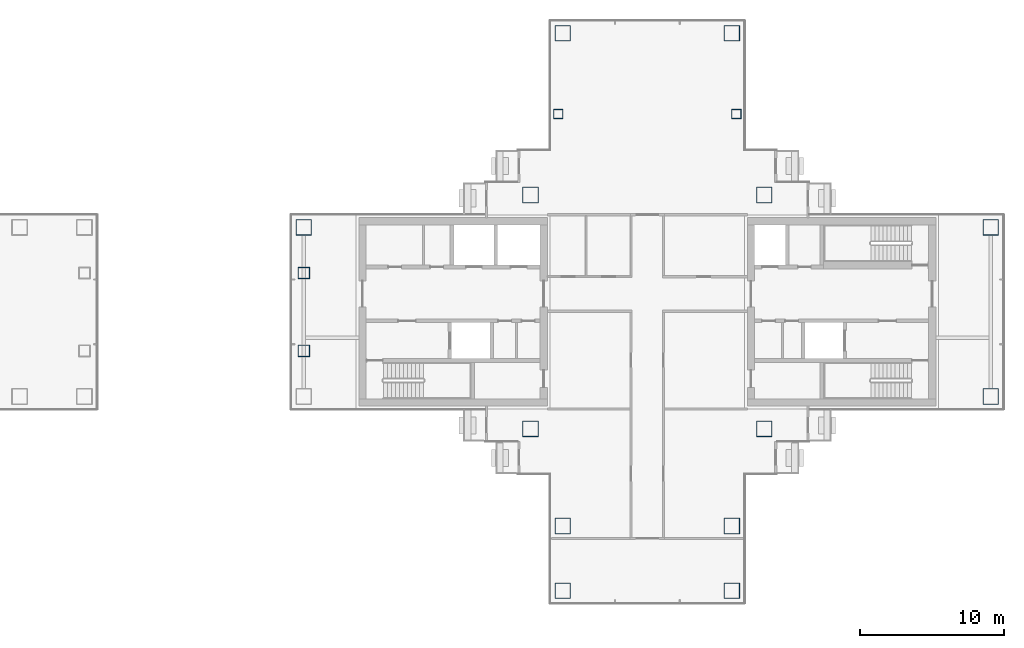
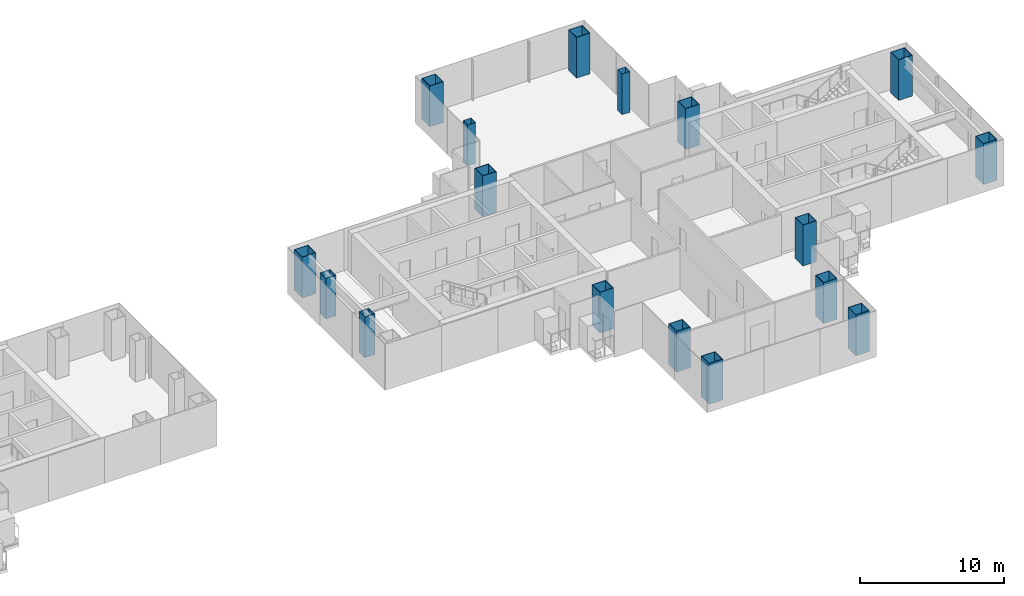
# One storey, part 2 of 17: 17 columns.
"""IFC4 building model written with IfcOpenShell, lengths in metres."""

import ifcopenshell
import ifcopenshell.guid

model = None  # the IFC model being written
_history = None  # IfcOwnerHistory: only IFC2X3 demands one
_inside = {}  # id of a spatial element -> (the spatial element, [elements in it])
_under = {}  # id of a project, library or spatial element -> (it, [spatial elements below it])
_declared = {}  # id of a project -> (the project, [libraries it declares])
_typed = {}  # id of a type object -> (the type object, [elements of that type])
_made_of = {}  # id of a material, layer set ... -> (it, [elements and type objects made of it])


def new_model(schema):
    """Start an empty IFC model of exactly this schema.

    Asked for "IFC4X3", IfcOpenShell would pick the latest addendum, in which some entities
    have other attributes; the version numbers below select the first issue.
    IFC2X3 requires an IfcOwnerHistory on every rooted entity: one is made here for all.
    """
    global model, _history
    if schema == "IFC4X3":
        model = ifcopenshell.file(schema_version=(4, 3, 0, 0))
    else:
        model = ifcopenshell.file(schema=schema)
    _inside.clear()
    _under.clear()
    _declared.clear()
    _typed.clear()
    _made_of.clear()
    _history = None
    if model.schema == "IFC2X3":
        org = make("IfcOrganization", Name="unknown")
        user = make(
            "IfcPersonAndOrganization",
            ThePerson=make("IfcPerson", FamilyName="unknown"),
            TheOrganization=org,
        )
        app = make(
            "IfcApplication",
            ApplicationDeveloper=org,
            Version="unknown",
            ApplicationFullName="unknown",
            ApplicationIdentifier="unknown",
        )
        _history = make(
            "IfcOwnerHistory",
            OwningUser=user,
            OwningApplication=app,
            ChangeAction="ADDED",
            CreationDate=0,
        )
    return model


def make(cls, **values):
    """One entity of the class cls with the attributes given. An attribute that is None is left unset."""
    return model.create_entity(
        cls, **{name: value for name, value in values.items() if value is not None}
    )


def rooted(cls, **values):
    """An entity with a GlobalId (a new one), such as an element, a storey or a relation."""
    return make(cls, GlobalId=ifcopenshell.guid.new(), OwnerHistory=_history, **values)


def si_unit(unit_type, name, prefix=None):
    """IfcSIUnit, for example si_unit("LENGTHUNIT", "METRE", prefix="MILLI")."""
    return make("IfcSIUnit", UnitType=unit_type, Prefix=prefix, Name=name)


def assignment(units):
    """IfcUnitAssignment: the units of a project."""
    return None if units is None else make("IfcUnitAssignment", Units=units)


def point(xyz):
    """IfcCartesianPoint."""
    return None if xyz is None else make("IfcCartesianPoint", Coordinates=xyz)


def direction(xyz):
    """IfcDirection."""
    return None if xyz is None else make("IfcDirection", DirectionRatios=xyz)


def frame(location, z_axis=None, x_axis=None):
    """IfcAxis2Placement3D, a coordinate frame: its origin and axes. An axis left out is left unset."""
    return make(
        "IfcAxis2Placement3D",
        Location=point(location),
        Axis=direction(z_axis),
        RefDirection=direction(x_axis),
    )


def frame_2d(location, x_axis=None):
    """IfcAxis2Placement2D, a coordinate frame in the plane: its origin and x axis."""
    return make(
        "IfcAxis2Placement2D", Location=point(location), RefDirection=direction(x_axis)
    )


def origin():
    """The frame at (0, 0, 0) with its axes left unset."""
    return frame((0.0, 0.0, 0.0))


def origin_2d():
    """The frame at (0, 0) in the plane with its x axis left unset."""
    return frame_2d((0.0, 0.0))


def place(relative_to, where):
    """IfcLocalPlacement: puts the frame where relative to a parent placement (None: the world)."""
    return make(
        "IfcLocalPlacement", PlacementRelTo=relative_to, RelativePlacement=where
    )


def context(
    kind, dimensions, precision=None, world=None, true_north=None, identifier=None
):
    """IfcGeometricRepresentationContext, for example the 3D "Model" context."""
    return make(
        "IfcGeometricRepresentationContext",
        ContextIdentifier=identifier,
        ContextType=kind,
        CoordinateSpaceDimension=dimensions,
        Precision=precision,
        WorldCoordinateSystem=world,
        TrueNorth=true_north,
    )


def subcontext(parent, identifier, kind, view, scale=None):
    """IfcGeometricRepresentationSubContext, for example "Body" below "Model"."""
    return make(
        "IfcGeometricRepresentationSubContext",
        ContextIdentifier=identifier,
        ContextType=kind,
        ParentContext=parent,
        TargetScale=scale,
        TargetView=view,
    )


def project(units=None, contexts=None):
    """IfcProject with its units and contexts."""
    return rooted(
        "IfcProject",
        Name="project",
        RepresentationContexts=contexts,
        UnitsInContext=assignment(units),
    )


def spatial(cls, under=None, at=None, **own):
    """A site, building, storey or space (cls), placed at a placement, below another one or the project."""
    s = rooted(cls, ObjectPlacement=at, **own)
    if under is not None:
        _under.setdefault(under.id(), (under, []))[1].append(s)
    return s


def profile(cls, at=None, kind="AREA", **sizes):
    """A parametric profile (cls). Its sizes go by their IFC names, for example OverallWidth=200.0."""
    return make(cls, ProfileType=kind, Position=at, **sizes)


def hollow_rectangle(**sizes):
    """IfcRectangleHollowProfileDef."""
    return profile("IfcRectangleHollowProfileDef", **sizes)


def extrude(swept, where, along, depth):
    """IfcExtrudedAreaSolid: the profile swept, set in the frame where, extruded along a direction by depth."""
    return make(
        "IfcExtrudedAreaSolid",
        SweptArea=swept,
        Position=where,
        ExtrudedDirection=direction(along),
        Depth=depth,
    )


def shape(context_of_items, identifier, shape_type, items):
    """IfcShapeRepresentation: the items that make up one representation, for example the "Body"."""
    return make(
        "IfcShapeRepresentation",
        ContextOfItems=context_of_items,
        RepresentationIdentifier=identifier,
        RepresentationType=shape_type,
        Items=items,
    )


def material(Name=None, Category=None):
    """IfcMaterial."""
    return make("IfcMaterial", Name=Name, Category=Category)


def material_profile(
    of_material, cross_section, Name=None, Category=None, Priority=None
):
    """IfcMaterialProfile: a cross section and its material."""
    return make(
        "IfcMaterialProfile",
        Name=Name,
        Material=of_material,
        Profile=cross_section,
        Priority=Priority,
        Category=Category,
    )


def profile_set(profiles, Name=None, composite=None):
    """IfcMaterialProfileSet."""
    return make(
        "IfcMaterialProfileSet",
        Name=Name,
        MaterialProfiles=profiles,
        CompositeProfile=composite,
    )


def made_of(thing, what):
    """Note that an element or type object is made of a material, layer set ...; save() writes the relation."""
    if what is not None:
        _made_of.setdefault(what.id(), (what, []))[1].append(thing)
    return thing


def type_object(cls, material=None, **own):
    """A type object (cls), such as IfcWallType, which elements share."""
    return made_of(rooted(cls, **own), material)


def element(
    cls,
    number,
    at=None,
    inside=None,
    cuts=None,
    type_object=None,
    material=None,
    context=None,
    identifier="Body",
    shape_type=None,
    held_by="IfcProductDefinitionShape",
    body=None,
    shapes=None,
    **own,
):
    """One element of the class cls, such as IfcWall. Its Tag is "e" and its number.

    at: its placement. inside: the storey or other place that contains it. cuts: it is an
    opening in that element (IfcRelVoidsElement). A single representation is given by context,
    identifier, shape_type and body (its items); several are given by shapes. held_by: the class
    of the entity that holds the representations. save() writes the other relations.
    """
    e = rooted(cls, Tag="e%d" % number, ObjectPlacement=at, **own)
    if body is not None:
        shapes = [shape(context, identifier, shape_type, body)]
    if shapes is not None:
        e.Representation = make(held_by, Representations=shapes)
    if inside is not None:
        _inside.setdefault(inside.id(), (inside, []))[1].append(e)
    if cuts is not None:
        rooted(
            "IfcRelVoidsElement", RelatingBuildingElement=cuts, RelatedOpeningElement=e
        )
    if type_object is not None:
        _typed.setdefault(type_object.id(), (type_object, []))[1].append(e)
    return made_of(e, material)


def aggregate(whole, parts):
    """IfcRelAggregates: a whole, such as a stair, and the parts it consists of."""
    return rooted("IfcRelAggregates", RelatingObject=whole, RelatedObjects=parts)


def save(model, path):
    """Write the relations noted so far, then the file.

    IfcRelAggregates (storeys below a building ...), IfcRelContainedInSpatialStructure (elements
    in a storey), IfcRelDefinesByType, IfcRelAssociatesMaterial and IfcRelDeclares: one each for
    every whole, place, type object, material and project.
    """
    for whole, parts in _under.values():
        aggregate(whole, parts)
    for where, things in _inside.values():
        rooted(
            "IfcRelContainedInSpatialStructure",
            RelatedElements=things,
            RelatingStructure=where,
        )
    for kind, things in _typed.values():
        rooted("IfcRelDefinesByType", RelatedObjects=things, RelatingType=kind)
    for what, things in _made_of.values():
        rooted("IfcRelAssociatesMaterial", RelatedObjects=things, RelatingMaterial=what)
    for by, libraries in _declared.values():
        rooted("IfcRelDeclares", RelatingContext=by, RelatedDefinitions=libraries)
    model.write(path)


model = new_model("IFC4")

# Units and contexts
model_context = context("Model", 3, precision=1e-05, world=origin(), true_north=direction((0.0, 1.0)))
body_context = subcontext(model_context, "Body", "Model", "MODEL_VIEW")
ifc_project = project(units=[si_unit("LENGTHUNIT", "METRE"), si_unit("AREAUNIT", "SQUARE_METRE"), si_unit("VOLUMEUNIT", "CUBIC_METRE"), si_unit("PLANEANGLEUNIT", "RADIAN"), si_unit("MASSUNIT", "GRAM", prefix="KILO")], contexts=[model_context])

# Site, building, storey
site_placement = place(None, origin())
site = spatial("IfcSite", under=ifc_project, at=site_placement, CompositionType="ELEMENT")
building_placement = place(site_placement, origin())
building = spatial("IfcBuilding", under=site, at=building_placement, Name="Shamsa Quay Exchange Towers", CompositionType="ELEMENT")
storey_placement = place(building_placement, frame((0.0, 0.0, 174.0)))
storey = spatial("IfcBuildingStorey", under=building, at=storey_placement, Name="L41", CompositionType="ELEMENT", Elevation=174.0)

# Columns
ifc_material_1 = material(Name="Concrete-filled steel tube S355 / C80/95", Category="concrete")
ifc_material_profile_1 = material_profile(ifc_material_1, hollow_rectangle(XDim=1.10009765625, YDim=1.10009765625, WallThickness=0.0400390625, at=origin_2d()), Name="CFT 1100x1100x40")
ifc_profile_set_1 = profile_set([ifc_material_profile_1], Name="Concrete-filled steel tube S355 / C80/95")
column_type_1 = type_object("IfcColumnType", Name="Column CFT 1100x1100x40", PredefinedType="COLUMN", material=ifc_profile_set_1)
for number, where, name in (
    (1, (25.625, 8.125, 0.0), "Mega column T2-CM01"),
    (2, (41.875, 8.125, 0.0), "Mega column T2-CM02"),
    (3, (25.625, -8.125, 0.0), "Mega column T2-CM03"),
    (4, (41.875, -8.125, 0.0), "Mega column T2-CM04"),
    (5, (39.625, 19.375, 0.0), "Mega column T2-CM06"),
    (6, (27.875, 19.375, 0.0), "Mega column T2-CM10"),
    (7, (39.625, -14.875, 0.0), "Mega column T2-CM13"),
    (8, (39.625, -19.375, 0.0), "Mega column T2-CM14"),
    (9, (27.875, -14.875, 0.0), "Mega column T2-CM16"),
    (10, (27.875, -19.375, 0.0), "Mega column T2-CM17"),
    (11, (9.875, 5.875, 0.0), "Mega column T2-CM20"),
    (12, (57.625, -5.875, 0.0), "Mega column T2-CM21"),
    (13, (57.625, 5.875, 0.0), "Mega column T2-CM23"),
):
    element("IfcColumn", number, at=place(storey_placement, frame(where)), inside=storey, type_object=column_type_1, Name=name, PredefinedType="COLUMN", context=body_context, shape_type="SweptSolid", body=[
        extrude(hollow_rectangle(XDim=1.10009765625, YDim=1.10009765625, WallThickness=0.0400390625, at=origin_2d()), origin(), (0.0, 0.0, 1.0), 3.449951171875),
    ])
ifc_material_2 = material(Name="Concrete-filled steel tube S355 / C60/75", Category="concrete")
ifc_material_profile_2 = material_profile(ifc_material_2, hollow_rectangle(XDim=0.64990234375, YDim=0.64990234375, WallThickness=0.02001953125, at=origin_2d()), Name="CFT 650x650x20")
ifc_profile_set_2 = profile_set([ifc_material_profile_2], Name="Concrete-filled steel tube S355 / C60/75")
column_type_2 = type_object("IfcColumnType", Name="Column CFT 650x650x20", PredefinedType="COLUMN", material=ifc_profile_set_2)
for number, where, name in (
    (14, (39.9375, 13.75, 0.0), "Perimeter column T2-CP05"),
    (15, (27.5625, 13.75, 0.0), "Perimeter column T2-CP09"),
):
    element("IfcColumn", number, at=place(storey_placement, frame(where)), inside=storey, type_object=column_type_2, Name=name, PredefinedType="COLUMN", context=body_context, shape_type="SweptSolid", body=[
        extrude(hollow_rectangle(XDim=0.64990234375, YDim=0.64990234375, WallThickness=0.02001953125, at=origin_2d()), origin(), (0.0, 0.0, 1.0), 3.449951171875),
    ])
ifc_material_3 = material(Name="Concrete-filled steel tube S355 / C70/85", Category="concrete")
ifc_material_profile_3 = material_profile(ifc_material_3, hollow_rectangle(XDim=0.800048828125, YDim=0.800048828125, WallThickness=0.030029296875, at=origin_2d()), Name="CFT 800x800x30")
ifc_profile_set_3 = profile_set([ifc_material_profile_3], Name="Concrete-filled steel tube S355 / C70/85")
column_type_3 = type_object("IfcColumnType", Name="Landing column CFT 800x800x30", PredefinedType="COLUMN", material=ifc_profile_set_3)
for number, where, name in (
    (16, (9.875, -2.699951171875, 0.0), "Landing column T2 S"),
    (17, (9.875, 2.699951171875, 0.0), "Landing column T2 N"),
):
    element("IfcColumn", number, at=place(storey_placement, frame(where)), inside=storey, type_object=column_type_3, Name=name, PredefinedType="COLUMN", context=body_context, shape_type="SweptSolid", body=[
        extrude(hollow_rectangle(XDim=0.800048828125, YDim=0.800048828125, WallThickness=0.030029296875, at=origin_2d()), origin(), (0.0, 0.0, 1.0), 3.449951171875),
    ])

save(model, "model.ifc")
